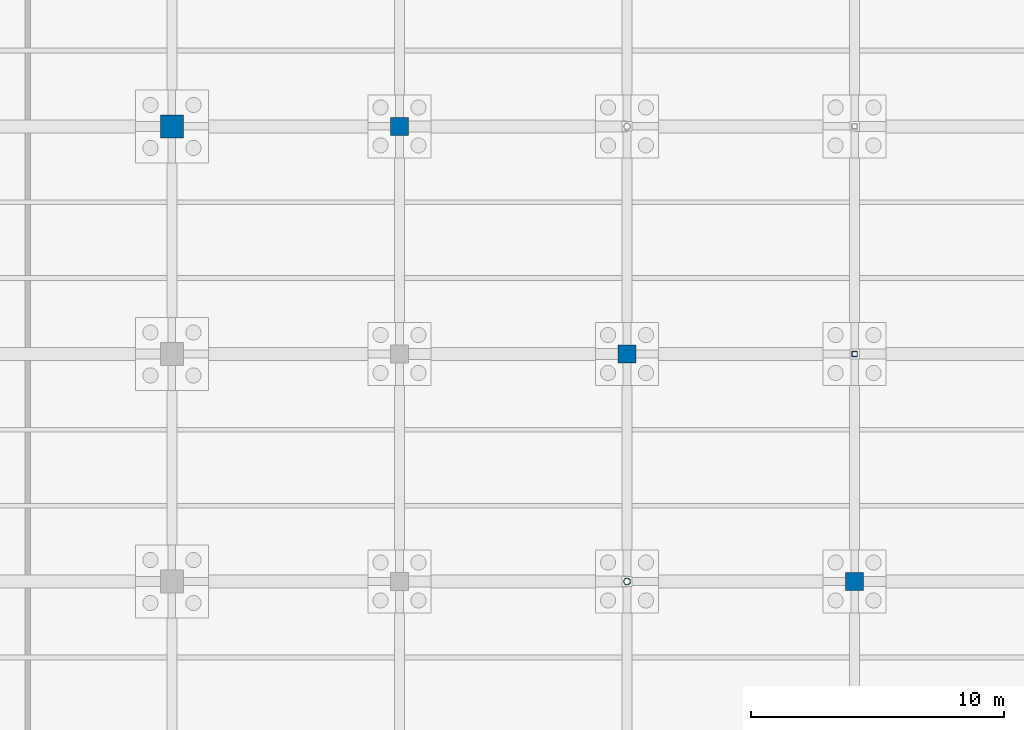
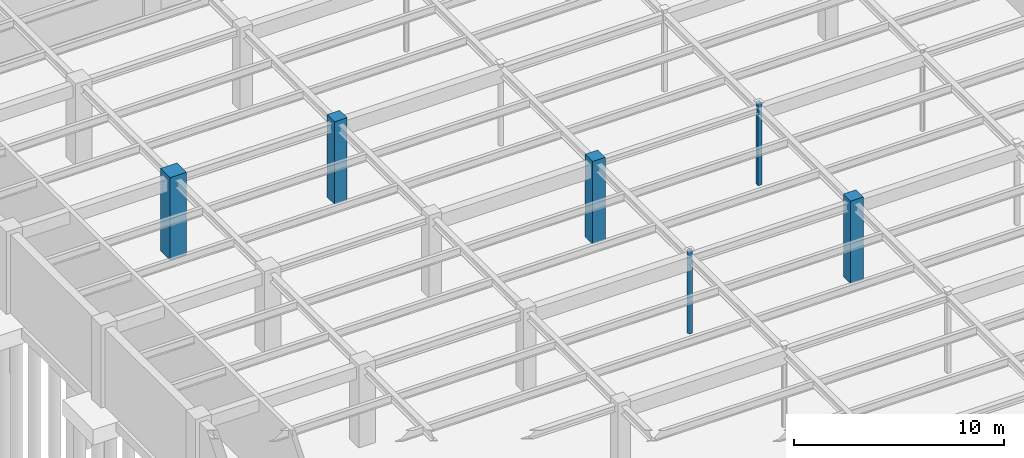
# One storey, part 19 of 49: 6 columns.
"""IFC4 building model written with IfcOpenShell, lengths in metres."""

from ifc_helpers import new_model, si_unit, direction, frame, origin, origin_2d, place, context, subcontext, project, spatial, rectangle, hollow_rectangle, hollow_circle, extrude, material, material_profile, profile_set, type_object, element, save


model = new_model("IFC4")

# Units and contexts
model_context = context("Model", 3, precision=1e-05, world=origin(), true_north=direction((0.0, 1.0)))
body_context = subcontext(model_context, "Body", "Model", "MODEL_VIEW")
ifc_project = project(units=[si_unit("LENGTHUNIT", "METRE"), si_unit("AREAUNIT", "SQUARE_METRE"), si_unit("VOLUMEUNIT", "CUBIC_METRE"), si_unit("PLANEANGLEUNIT", "RADIAN"), si_unit("MASSUNIT", "GRAM", prefix="KILO")], contexts=[model_context])

# Site, building, storey
site_placement = place(None, origin())
site = spatial("IfcSite", under=ifc_project, at=site_placement, CompositionType="ELEMENT")
building_placement = place(site_placement, origin())
building = spatial("IfcBuilding", under=site, at=building_placement, Name="Lykobir Media Centre", CompositionType="ELEMENT")
storey_placement = place(building_placement, frame((0.0, 0.0, -4.800048828125)))
storey = spatial("IfcBuildingStorey", under=building, at=storey_placement, Name="B1", CompositionType="ELEMENT", Elevation=-4.800048828125)

# Columns
ifc_material_1 = material(Name="Concrete C40/50", Category="concrete")
ifc_material_profile_1 = material_profile(ifc_material_1, rectangle(XDim=0.699951171875, YDim=0.699951171875, at=origin_2d()), Name="RC 700x700")
ifc_profile_set_1 = profile_set([ifc_material_profile_1], Name="Concrete C40/50")
column_type_1 = type_object("IfcColumnType", Name="RC-C700", PredefinedType="COLUMN", material=ifc_profile_set_1)
for number, where, z_axis, x_axis, name in (
    (1, (108.0, 54.0, 0.0), (0.0, 0.0, 1.0), (1.0, 0.0, 0.0), "Column COL-B1-1080-0540"),
    (2, (117.0, 45.0, 0.0), (0.0, 0.0, 1.0), (1.0, 0.0, 0.0), "Column COL-B1-1170-0450"),
    (3, (126.0, 36.0, 0.0), (0.0, 0.0, 1.0), (1.0, 0.0, 0.0), "Column COL-B1-1260-0360"),
):
    element("IfcColumn", number, at=place(storey_placement, frame(where, z_axis=z_axis, x_axis=x_axis)), inside=storey, type_object=column_type_1, Name=name, PredefinedType="COLUMN", context=body_context, shape_type="SweptSolid", body=[
        extrude(rectangle(XDim=0.699951171875, YDim=0.699951171875, at=origin_2d()), origin(), (0.0, 0.0, 1.0), 4.800048828125),
    ])
ifc_material_profile_2 = material_profile(ifc_material_1, rectangle(XDim=0.89990234375, YDim=0.89990234375, at=origin_2d()), Name="RC 900x900")
ifc_profile_set_2 = profile_set([ifc_material_profile_2], Name="Concrete C40/50")
column_type_2 = type_object("IfcColumnType", Name="RC-C900", PredefinedType="COLUMN", material=ifc_profile_set_2)
column_1_placement = place(storey_placement, frame((99.0, 54.0, 0.0), z_axis=(0.0, 0.0, 1.0), x_axis=(1.0, 0.0, 0.0)))
element("IfcColumn", 4, at=column_1_placement, inside=storey, type_object=column_type_2, Name="Column COL-B1-0990-0540", PredefinedType="COLUMN", context=body_context, shape_type="SweptSolid", body=[
    extrude(rectangle(XDim=0.89990234375, YDim=0.89990234375, at=origin_2d()), origin(), (0.0, 0.0, 1.0), 4.800048828125),
])
ifc_material_2 = material(Name="Steel S355", Category="steel")
ifc_material_profile_3 = material_profile(ifc_material_2, hollow_circle(Radius=0.136474609375, WallThickness=0.012451171875, at=origin_2d()), Name="CHS 273.0x12.5")
ifc_profile_set_3 = profile_set([ifc_material_profile_3], Name="Steel S355")
column_type_3 = type_object("IfcColumnType", Name="SC-CHS273", PredefinedType="COLUMN", material=ifc_profile_set_3)
column_2_placement = place(storey_placement, frame((117.0, 36.0, 0.0), z_axis=(0.0, 0.0, 1.0), x_axis=(1.0, 0.0, 0.0)))
element("IfcColumn", 5, at=column_2_placement, inside=storey, type_object=column_type_3, Name="Column COL-B1-1170-0360", PredefinedType="COLUMN", context=body_context, shape_type="SweptSolid", body=[
    extrude(hollow_circle(Radius=0.136474609375, WallThickness=0.012451171875, at=origin_2d()), origin(), (0.0, 0.0, 1.0), 4.800048828125),
])
ifc_material_profile_4 = material_profile(ifc_material_2, hollow_rectangle(XDim=0.219970703125, YDim=0.219970703125, WallThickness=0.012451171875, at=origin_2d()), Name="SHS 220x220x12.5")
ifc_profile_set_4 = profile_set([ifc_material_profile_4], Name="Steel S355")
column_type_4 = type_object("IfcColumnType", Name="SC-SHS220", PredefinedType="COLUMN", material=ifc_profile_set_4)
column_3_placement = place(storey_placement, frame((126.0, 45.0, 0.0), z_axis=(0.0, 0.0, 1.0), x_axis=(1.0, 0.0, 0.0)))
element("IfcColumn", 6, at=column_3_placement, inside=storey, type_object=column_type_4, Name="Column COL-B1-1260-0450", PredefinedType="COLUMN", context=body_context, shape_type="SweptSolid", body=[
    extrude(hollow_rectangle(XDim=0.219970703125, YDim=0.219970703125, WallThickness=0.012451171875, at=origin_2d()), origin(), (0.0, 0.0, 1.0), 4.800048828125),
])

save(model, "model.ifc")
